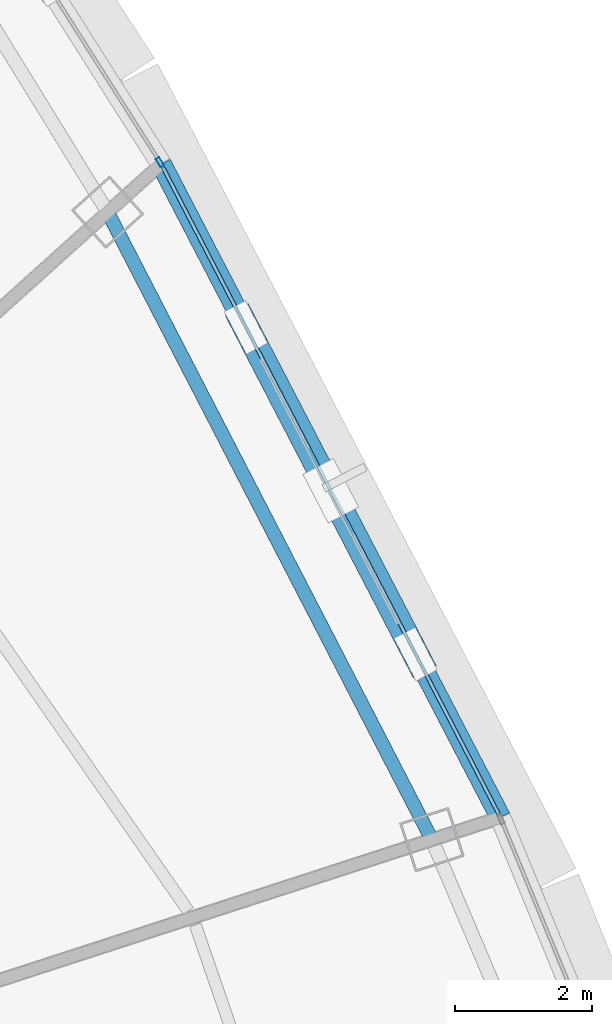
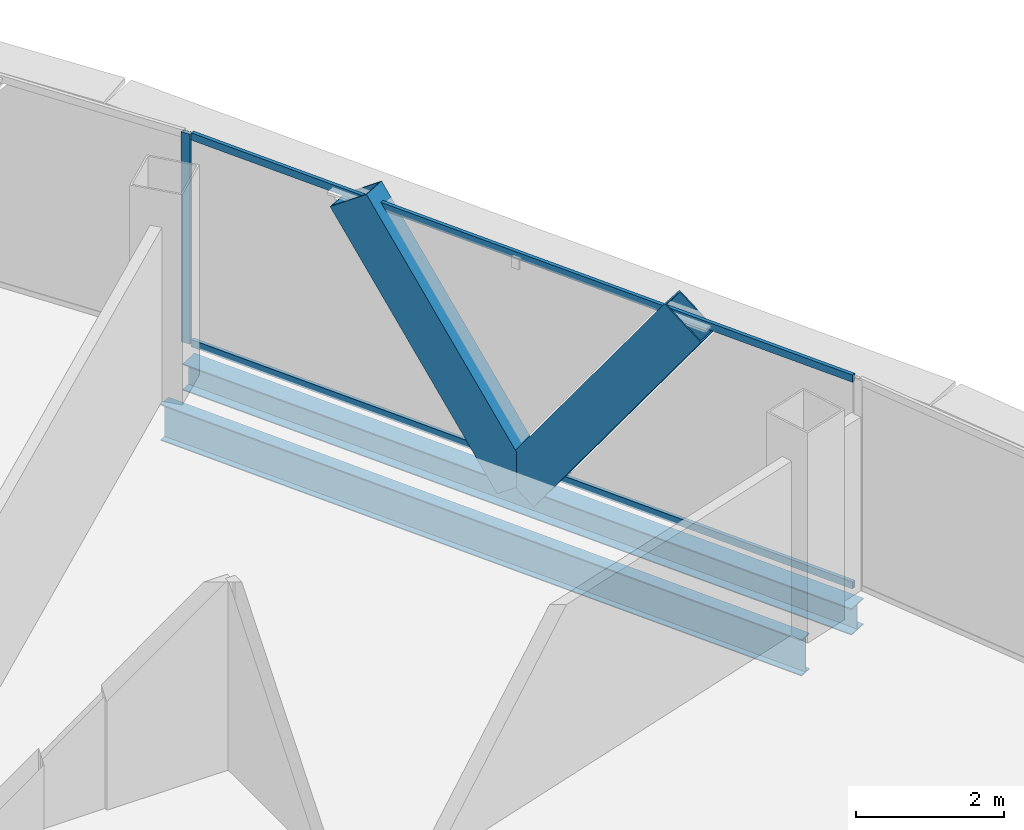
# One storey, part 19 of 33: 5 members, 2 beams, 2 elements without a shape of their own.
"""IFC4 building model written with IfcOpenShell, lengths in metres."""

from ifc_helpers import new_model, si_unit, direction, frame, origin, origin_2d, place, context, subcontext, project, spatial, hollow_rectangle, i_section, extrude, source, transform, mapped, material, layer, layer_set, material_profile, profile_set, type_object, element, aggregate, save


model = new_model("IFC4")

# Units and contexts
model_context = context("Model", 3, precision=1e-05, world=origin(), true_north=direction((0.0, 1.0)))
body_context = subcontext(model_context, "Body", "Model", "MODEL_VIEW")
ifc_project = project(units=[si_unit("LENGTHUNIT", "METRE"), si_unit("AREAUNIT", "SQUARE_METRE"), si_unit("VOLUMEUNIT", "CUBIC_METRE"), si_unit("PLANEANGLEUNIT", "RADIAN"), si_unit("MASSUNIT", "GRAM", prefix="KILO"), si_unit("THERMODYNAMICTEMPERATUREUNIT", "KELVIN"), si_unit("POWERUNIT", "WATT")], contexts=[model_context])

# Site, building, storey
site_placement = place(None, origin())
site = spatial("IfcSite", under=ifc_project, at=site_placement, CompositionType="ELEMENT")
building_placement = place(site_placement, origin())
building = spatial("IfcBuilding", under=site, at=building_placement, Name="Yunzhuo Pagoda Commons", CompositionType="ELEMENT")
storey_placement = place(building_placement, frame((0.0, 0.0, 311.1298828125)))
storey = spatial("IfcBuildingStorey", under=building, at=storey_placement, Name="L78", CompositionType="ELEMENT", Elevation=311.1298828125)

# Beams
ifc_material_1 = material(Name="Structural steel Q355B", Category="steel")
ifc_material_profile_1 = material_profile(ifc_material_1, i_section(OverallWidth=0.199951171875, OverallDepth=0.60009765625, WebThickness=0.010986328125, FlangeThickness=0.01708984375, at=origin_2d()), Name="Structural steel Q355B")
ifc_profile_set_1 = profile_set([ifc_material_profile_1], Name="Structural steel Q355B")
beam_type_1 = type_object("IfcBeamType", Name="B-RG3 Beam HN 600x200x11x17", PredefinedType="BEAM", material=ifc_profile_set_1)
shared_shape_1 = source(origin(), body_context, "Body", "SweptSolid", [
    extrude(i_section(OverallWidth=0.199951171875, OverallDepth=0.60009765625, WebThickness=0.010986328125, FlangeThickness=0.01708984375, at=origin_2d()), origin(), (0.0, 0.0, 1.0), 10.3017578125),
])
beam_1_placement = place(storey_placement, frame((71.302490234375, 41.271484375, -0.559814453125), z_axis=(-0.459070867827, 0.888399650108, 0.0), x_axis=(-0.888399650108, -0.459070867827, 0.0)))
element("IfcBeam", 1, at=beam_1_placement, inside=storey, type_object=beam_type_1, Name="L78 column-ring beam 6", PredefinedType="BEAM", context=body_context, shape_type="MappedRepresentation", body=[
    mapped(shared_shape_1, transform((0.0, 0.0, 0.0), scale=1.0)),
])
ifc_material_profile_2 = material_profile(ifc_material_1, i_section(OverallWidth=0.300048828125, OverallDepth=0.43994140625, WebThickness=0.010986328125, FlangeThickness=0.01806640625, at=origin_2d()), Name="Structural steel Q355B")
ifc_profile_set_2 = profile_set([ifc_material_profile_2], Name="Structural steel Q355B")
beam_type_2 = type_object("IfcBeamType", Name="B-SP2 Beam HM 440x300x11x18", PredefinedType="BEAM", material=ifc_profile_set_2)
shared_shape_2 = source(origin(), body_context, "Body", "SweptSolid", [
    extrude(i_section(OverallWidth=0.300048828125, OverallDepth=0.43994140625, WebThickness=0.010986328125, FlangeThickness=0.01806640625, at=origin_2d()), origin(), (0.0, 0.0, 1.0), 10.73779296875),
])
beam_2_placement = place(storey_placement, frame((72.301025390625, 41.595947265625, -0.47998046875), z_axis=(-0.460758444606, 0.887525580321, 0.0), x_axis=(-0.887525580321, -0.460758444606, 0.0)))
element("IfcBeam", 2, at=beam_2_placement, inside=storey, type_object=beam_type_2, Name="L78 facade edge spandrel beam F2.2", PredefinedType="BEAM", context=body_context, shape_type="MappedRepresentation", body=[
    mapped(shared_shape_2, transform((0.0, 0.0, 0.0), scale=1.0)),
])

# Members
ifc_material_profile_3 = material_profile(ifc_material_1, hollow_rectangle(XDim=0.3798828125, YDim=0.719970703125, WallThickness=0.02001953125, at=origin_2d()), Name="Structural steel Q355B")
ifc_profile_set_3 = profile_set([ifc_material_profile_3], Name="Structural steel Q355B")
member_type_1 = type_object("IfcMemberType", Name="M-DL3 Brace BOX 720x380x20", PredefinedType="BRACE", material=ifc_profile_set_3)
shared_shape_3 = source(origin(), body_context, "Body", "SweptSolid", [
    extrude(hollow_rectangle(XDim=0.3798828125, YDim=0.719970703125, WallThickness=0.02001953125, at=origin_2d()), origin(), (0.0, 0.0, 1.0), 4.595458984375),
])
for number, where, z_axis, x_axis, name in (
    (3, (69.827392578125, 46.361083984375, -0.259765625), (0.269133353442, -0.518450927011, 0.811650093542), (0.887539704537, 0.460731237133, 0.0), "L78 facade diamond brace F2.2L"),
    (4, (69.827392578125, 46.361083984375, -0.259765625), (-0.269140766087, 0.518412079644, 0.811672448534), (-0.887520396844, -0.460768429024, 0.0), "L78 facade diamond brace F2.2R"),
):
    element("IfcMember", number, at=place(storey_placement, frame(where, z_axis=z_axis, x_axis=x_axis)), inside=storey, type_object=member_type_1, Name=name, PredefinedType="BRACE", context=body_context, shape_type="MappedRepresentation", body=[
        mapped(shared_shape_3, transform((0.0, 0.0, 0.0), scale=1.0)),
    ])

# Curtain wall, member
ifc_material_2 = material(Name="Anodized aluminium 6063-T6", Category="aluminium")
ifc_layer = layer(ifc_material_2, 0.139892578125)
ifc_layer_set = layer_set([ifc_layer], Name="Anodized aluminium 6063-T6")
curtain_wall_type = type_object("IfcCurtainWallType", Name="CW-HI High-Zone Ribbon Curtain Wall", PredefinedType="NOTDEFINED", material=ifc_layer_set)
curtain_wall_1_placement = place(storey_placement, origin())
curtain_wall_1 = element("IfcCurtainWall", 5, at=curtain_wall_1_placement, inside=storey, type_object=curtain_wall_type, Name="L78 curtain wall CW-L78-F2B4", PredefinedType="NOTDEFINED")
ifc_material_profile_4 = material_profile(ifc_material_2, hollow_rectangle(XDim=0.06005859375, YDim=0.139892578125, WallThickness=0.00341796875, at=origin_2d()), Name="Anodized aluminium 6063-T6")
ifc_profile_set_4 = profile_set([ifc_material_profile_4], Name="Anodized aluminium 6063-T6")
member_type_2 = type_object("IfcMemberType", Name="CW-HI-M Mullion RHS 140x60x3.5", PredefinedType="MULLION", material=ifc_profile_set_4)
shared_shape_4 = source(origin(), body_context, "Body", "SweptSolid", [
    extrude(hollow_rectangle(XDim=0.06005859375, YDim=0.139892578125, WallThickness=0.00341796875, at=origin_2d()), origin(), (0.0, 0.0, 1.0), 3.47021484375),
])
member_1_placement = place(storey_placement, frame((67.337890625, 51.1513671875, 0.0), z_axis=(0.0, 0.0, 1.0), x_axis=(-0.844512740935, -0.535535461383, 0.0)))
member_1 = element("IfcMember", 6, at=member_1_placement, type_object=member_type_2, Name="CW mullion 1", PredefinedType="MULLION", context=body_context, shape_type="MappedRepresentation", body=[
    mapped(shared_shape_4, transform((0.0, 0.0, 0.0), scale=1.0)),
])
aggregate(curtain_wall_1, [member_1])

# Curtain wall, members
curtain_wall_2_placement = place(storey_placement, origin())
curtain_wall_2 = element("IfcCurtainWall", 7, at=curtain_wall_2_placement, inside=storey, type_object=curtain_wall_type, Name="L78 curtain wall CW-L78-F2B3", PredefinedType="NOTDEFINED")
ifc_material_profile_5 = material_profile(ifc_material_2, hollow_rectangle(XDim=0.054931640625, YDim=0.1201171875, WallThickness=0.00341796875, at=origin_2d()), Name="Anodized aluminium 6063-T6")
ifc_profile_set_5 = profile_set([ifc_material_profile_5], Name="Anodized aluminium 6063-T6")
member_type_3 = type_object("IfcMemberType", Name="CW-HI-T Transom RHS 120x55x3.5", PredefinedType="USERDEFINED", material=ifc_profile_set_5)
shared_shape_5 = source(origin(), body_context, "Body", "SweptSolid", [
    extrude(hollow_rectangle(XDim=0.054931640625, YDim=0.1201171875, WallThickness=0.00341796875, at=origin_2d()), origin(), (0.0, 0.0, 1.0), 10.617919921875),
])
member_2_placement = place(storey_placement, frame((72.273681640625, 41.649169921875, 0.027587890625), z_axis=(-0.46076476881, 0.887522297085, 0.0), x_axis=(-0.887522297085, -0.46076476881, 0.0)))
member_2 = element("IfcMember", 8, at=member_2_placement, type_object=member_type_3, Name="CW transom 1.1", ObjectType="TRANSOM", PredefinedType="USERDEFINED", context=body_context, shape_type="MappedRepresentation", body=[
    mapped(shared_shape_5, transform((0.0, 0.0, 0.0), scale=1.0)),
])
member_3_placement = place(storey_placement, frame((72.273681640625, 41.649169921875, 3.442626953125), z_axis=(-0.46076476881, 0.887522297085, 0.0), x_axis=(-0.887522297085, -0.46076476881, 0.0)))
member_3 = element("IfcMember", 9, at=member_3_placement, type_object=member_type_3, Name="CW transom 1.2", ObjectType="TRANSOM", PredefinedType="USERDEFINED", context=body_context, shape_type="MappedRepresentation", body=[
    mapped(shared_shape_5, transform((0.0, 0.0, 0.0), scale=1.0)),
])
aggregate(curtain_wall_2, [member_2, member_3])

save(model, "model.ifc")
